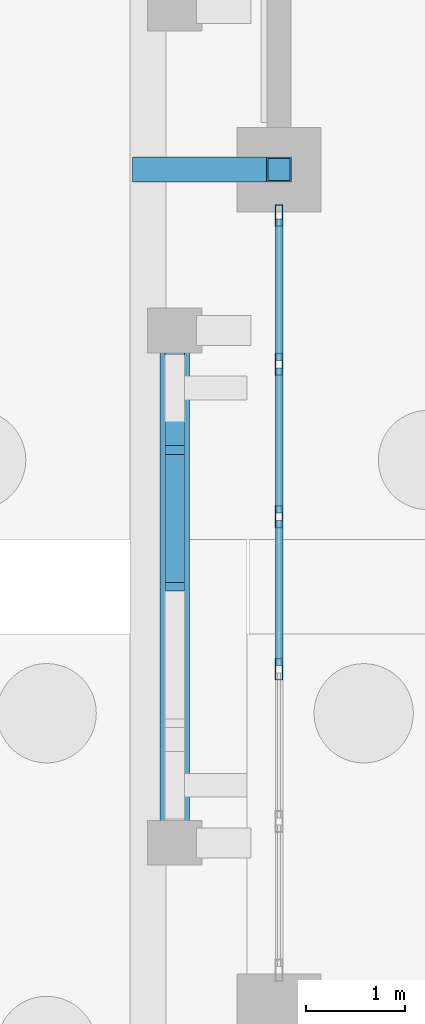
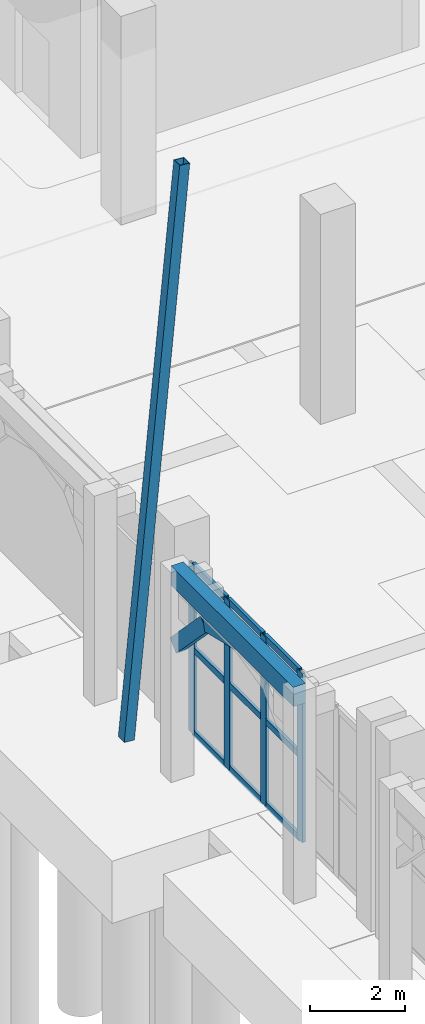
# One storey, part 20 of 98: 16 members, 1 beam, 1 element without a shape of its own.
"""IFC4 building model written with IfcOpenShell, lengths in metres."""

import ifcopenshell
import ifcopenshell.guid

model = None  # the IFC model being written
_history = None  # IfcOwnerHistory: only IFC2X3 demands one
_inside = {}  # id of a spatial element -> (the spatial element, [elements in it])
_under = {}  # id of a project, library or spatial element -> (it, [spatial elements below it])
_declared = {}  # id of a project -> (the project, [libraries it declares])
_typed = {}  # id of a type object -> (the type object, [elements of that type])
_made_of = {}  # id of a material, layer set ... -> (it, [elements and type objects made of it])


def new_model(schema):
    """Start an empty IFC model of exactly this schema.

    Asked for "IFC4X3", IfcOpenShell would pick the latest addendum, in which some entities
    have other attributes; the version numbers below select the first issue.
    IFC2X3 requires an IfcOwnerHistory on every rooted entity: one is made here for all.
    """
    global model, _history
    if schema == "IFC4X3":
        model = ifcopenshell.file(schema_version=(4, 3, 0, 0))
    else:
        model = ifcopenshell.file(schema=schema)
    _inside.clear()
    _under.clear()
    _declared.clear()
    _typed.clear()
    _made_of.clear()
    _history = None
    if model.schema == "IFC2X3":
        org = make("IfcOrganization", Name="unknown")
        user = make(
            "IfcPersonAndOrganization",
            ThePerson=make("IfcPerson", FamilyName="unknown"),
            TheOrganization=org,
        )
        app = make(
            "IfcApplication",
            ApplicationDeveloper=org,
            Version="unknown",
            ApplicationFullName="unknown",
            ApplicationIdentifier="unknown",
        )
        _history = make(
            "IfcOwnerHistory",
            OwningUser=user,
            OwningApplication=app,
            ChangeAction="ADDED",
            CreationDate=0,
        )
    return model


def make(cls, **values):
    """One entity of the class cls with the attributes given. An attribute that is None is left unset."""
    return model.create_entity(
        cls, **{name: value for name, value in values.items() if value is not None}
    )


def rooted(cls, **values):
    """An entity with a GlobalId (a new one), such as an element, a storey or a relation."""
    return make(cls, GlobalId=ifcopenshell.guid.new(), OwnerHistory=_history, **values)


def si_unit(unit_type, name, prefix=None):
    """IfcSIUnit, for example si_unit("LENGTHUNIT", "METRE", prefix="MILLI")."""
    return make("IfcSIUnit", UnitType=unit_type, Prefix=prefix, Name=name)


def assignment(units):
    """IfcUnitAssignment: the units of a project."""
    return None if units is None else make("IfcUnitAssignment", Units=units)


def point(xyz):
    """IfcCartesianPoint."""
    return None if xyz is None else make("IfcCartesianPoint", Coordinates=xyz)


def direction(xyz):
    """IfcDirection."""
    return None if xyz is None else make("IfcDirection", DirectionRatios=xyz)


def frame(location, z_axis=None, x_axis=None):
    """IfcAxis2Placement3D, a coordinate frame: its origin and axes. An axis left out is left unset."""
    return make(
        "IfcAxis2Placement3D",
        Location=point(location),
        Axis=direction(z_axis),
        RefDirection=direction(x_axis),
    )


def frame_2d(location, x_axis=None):
    """IfcAxis2Placement2D, a coordinate frame in the plane: its origin and x axis."""
    return make(
        "IfcAxis2Placement2D", Location=point(location), RefDirection=direction(x_axis)
    )


def origin():
    """The frame at (0, 0, 0) with its axes left unset."""
    return frame((0.0, 0.0, 0.0))


def origin_2d():
    """The frame at (0, 0) in the plane with its x axis left unset."""
    return frame_2d((0.0, 0.0))


def place(relative_to, where):
    """IfcLocalPlacement: puts the frame where relative to a parent placement (None: the world)."""
    return make(
        "IfcLocalPlacement", PlacementRelTo=relative_to, RelativePlacement=where
    )


def context(
    kind, dimensions, precision=None, world=None, true_north=None, identifier=None
):
    """IfcGeometricRepresentationContext, for example the 3D "Model" context."""
    return make(
        "IfcGeometricRepresentationContext",
        ContextIdentifier=identifier,
        ContextType=kind,
        CoordinateSpaceDimension=dimensions,
        Precision=precision,
        WorldCoordinateSystem=world,
        TrueNorth=true_north,
    )


def subcontext(parent, identifier, kind, view, scale=None):
    """IfcGeometricRepresentationSubContext, for example "Body" below "Model"."""
    return make(
        "IfcGeometricRepresentationSubContext",
        ContextIdentifier=identifier,
        ContextType=kind,
        ParentContext=parent,
        TargetScale=scale,
        TargetView=view,
    )


def project(units=None, contexts=None):
    """IfcProject with its units and contexts."""
    return rooted(
        "IfcProject",
        Name="project",
        RepresentationContexts=contexts,
        UnitsInContext=assignment(units),
    )


def spatial(cls, under=None, at=None, **own):
    """A site, building, storey or space (cls), placed at a placement, below another one or the project."""
    s = rooted(cls, ObjectPlacement=at, **own)
    if under is not None:
        _under.setdefault(under.id(), (under, []))[1].append(s)
    return s


def profile(cls, at=None, kind="AREA", **sizes):
    """A parametric profile (cls). Its sizes go by their IFC names, for example OverallWidth=200.0."""
    return make(cls, ProfileType=kind, Position=at, **sizes)


def rectangle(**sizes):
    """IfcRectangleProfileDef."""
    return profile("IfcRectangleProfileDef", **sizes)


def hollow_rectangle(**sizes):
    """IfcRectangleHollowProfileDef."""
    return profile("IfcRectangleHollowProfileDef", **sizes)


def extrude(swept, where, along, depth):
    """IfcExtrudedAreaSolid: the profile swept, set in the frame where, extruded along a direction by depth."""
    return make(
        "IfcExtrudedAreaSolid",
        SweptArea=swept,
        Position=where,
        ExtrudedDirection=direction(along),
        Depth=depth,
    )


def shape(context_of_items, identifier, shape_type, items):
    """IfcShapeRepresentation: the items that make up one representation, for example the "Body"."""
    return make(
        "IfcShapeRepresentation",
        ContextOfItems=context_of_items,
        RepresentationIdentifier=identifier,
        RepresentationType=shape_type,
        Items=items,
    )


def material(Name=None, Category=None):
    """IfcMaterial."""
    return make("IfcMaterial", Name=Name, Category=Category)


def layer(
    of_material, thickness, ventilated=None, Name=None, Category=None, Priority=None
):
    """IfcMaterialLayer: one layer of a wall or slab, of a material (None: an air gap)."""
    return make(
        "IfcMaterialLayer",
        Material=of_material,
        LayerThickness=thickness,
        IsVentilated=ventilated,
        Name=Name,
        Category=Category,
        Priority=Priority,
    )


def layer_set(layers, Name=None):
    """IfcMaterialLayerSet."""
    return make("IfcMaterialLayerSet", MaterialLayers=layers, LayerSetName=Name)


def material_profile(
    of_material, cross_section, Name=None, Category=None, Priority=None
):
    """IfcMaterialProfile: a cross section and its material."""
    return make(
        "IfcMaterialProfile",
        Name=Name,
        Material=of_material,
        Profile=cross_section,
        Priority=Priority,
        Category=Category,
    )


def profile_set(profiles, Name=None, composite=None):
    """IfcMaterialProfileSet."""
    return make(
        "IfcMaterialProfileSet",
        Name=Name,
        MaterialProfiles=profiles,
        CompositeProfile=composite,
    )


def made_of(thing, what):
    """Note that an element or type object is made of a material, layer set ...; save() writes the relation."""
    if what is not None:
        _made_of.setdefault(what.id(), (what, []))[1].append(thing)
    return thing


def type_object(cls, material=None, **own):
    """A type object (cls), such as IfcWallType, which elements share."""
    return made_of(rooted(cls, **own), material)


def element(
    cls,
    number,
    at=None,
    inside=None,
    cuts=None,
    type_object=None,
    material=None,
    context=None,
    identifier="Body",
    shape_type=None,
    held_by="IfcProductDefinitionShape",
    body=None,
    shapes=None,
    **own,
):
    """One element of the class cls, such as IfcWall. Its Tag is "e" and its number.

    at: its placement. inside: the storey or other place that contains it. cuts: it is an
    opening in that element (IfcRelVoidsElement). A single representation is given by context,
    identifier, shape_type and body (its items); several are given by shapes. held_by: the class
    of the entity that holds the representations. save() writes the other relations.
    """
    e = rooted(cls, Tag="e%d" % number, ObjectPlacement=at, **own)
    if body is not None:
        shapes = [shape(context, identifier, shape_type, body)]
    if shapes is not None:
        e.Representation = make(held_by, Representations=shapes)
    if inside is not None:
        _inside.setdefault(inside.id(), (inside, []))[1].append(e)
    if cuts is not None:
        rooted(
            "IfcRelVoidsElement", RelatingBuildingElement=cuts, RelatedOpeningElement=e
        )
    if type_object is not None:
        _typed.setdefault(type_object.id(), (type_object, []))[1].append(e)
    return made_of(e, material)


def aggregate(whole, parts):
    """IfcRelAggregates: a whole, such as a stair, and the parts it consists of."""
    return rooted("IfcRelAggregates", RelatingObject=whole, RelatedObjects=parts)


def save(model, path):
    """Write the relations noted so far, then the file.

    IfcRelAggregates (storeys below a building ...), IfcRelContainedInSpatialStructure (elements
    in a storey), IfcRelDefinesByType, IfcRelAssociatesMaterial and IfcRelDeclares: one each for
    every whole, place, type object, material and project.
    """
    for whole, parts in _under.values():
        aggregate(whole, parts)
    for where, things in _inside.values():
        rooted(
            "IfcRelContainedInSpatialStructure",
            RelatedElements=things,
            RelatingStructure=where,
        )
    for kind, things in _typed.values():
        rooted("IfcRelDefinesByType", RelatedObjects=things, RelatingType=kind)
    for what, things in _made_of.values():
        rooted("IfcRelAssociatesMaterial", RelatedObjects=things, RelatingMaterial=what)
    for by, libraries in _declared.values():
        rooted("IfcRelDeclares", RelatingContext=by, RelatedDefinitions=libraries)
    model.write(path)


model = new_model("IFC4")

# Units and contexts
model_context = context("Model", 3, precision=1e-05, world=origin(), true_north=direction((0.0, 1.0)))
body_context = subcontext(model_context, "Body", "Model", "MODEL_VIEW")
ifc_project = project(units=[si_unit("LENGTHUNIT", "METRE"), si_unit("AREAUNIT", "SQUARE_METRE"), si_unit("VOLUMEUNIT", "CUBIC_METRE"), si_unit("PLANEANGLEUNIT", "RADIAN"), si_unit("MASSUNIT", "GRAM", prefix="KILO")], contexts=[model_context])

# Site, building, storey
site_placement = place(None, origin())
site = spatial("IfcSite", under=ifc_project, at=site_placement, CompositionType="ELEMENT")
building_placement = place(site_placement, origin())
building = spatial("IfcBuilding", under=site, at=building_placement, Name="Xazarin Passage Department Store", CompositionType="ELEMENT")
storey_placement = place(building_placement, origin())
storey = spatial("IfcBuildingStorey", under=building, at=storey_placement, Name="L00", CompositionType="ELEMENT", Elevation=0.0)

# Curtain wall, members
ifc_material_1 = material(Name="Bronze anodised aluminium", Category="aluminium")
ifc_layer = layer(ifc_material_1, 0.179931640625)
ifc_layer_set = layer_set([ifc_layer], Name="Bronze anodised aluminium")
curtain_wall_type = type_object("IfcCurtainWallType", Name="ARC-CW-VIT1", PredefinedType="NOTDEFINED", material=ifc_layer_set)
curtain_wall_placement = place(storey_placement, origin())
curtain_wall = element("IfcCurtainWall", 1, at=curtain_wall_placement, inside=storey, type_object=curtain_wall_type, Name="L00 V1 Curtain Wall 004", PredefinedType="NOTDEFINED")
ifc_material_profile_1 = material_profile(ifc_material_1, hollow_rectangle(XDim=0.074951171875, YDim=0.219970703125, WallThickness=0.0048828125, at=origin_2d()), Name="ALU 75x220")
ifc_profile_set_1 = profile_set([ifc_material_profile_1], Name="Bronze anodised aluminium")
member_type_1 = type_object("IfcMemberType", Name="ARC-CWM-75x220", PredefinedType="MULLION", material=ifc_profile_set_1)
member_1_placement = place(storey_placement, frame((0.0, 54.570068359375, 0.0), z_axis=(0.0, 0.0, 1.0), x_axis=(-1.0, 0.0, 0.0)))
member_1 = element("IfcMember", 2, at=member_1_placement, type_object=member_type_1, Name="CW1 mullion 3", PredefinedType="MULLION", context=body_context, shape_type="SweptSolid", body=[
    extrude(hollow_rectangle(XDim=0.074951171875, YDim=0.219970703125, WallThickness=0.0048828125, at=origin_2d()), origin(), (0.0, 0.0, 1.0), 4.35009765625),
])
member_2_placement = place(storey_placement, frame((0.0, 56.10498046875, 0.0), z_axis=(0.0, 0.0, 1.0), x_axis=(-1.0, 0.0, 0.0)))
member_2 = element("IfcMember", 3, at=member_2_placement, type_object=member_type_1, Name="CW1 mullion 4", PredefinedType="MULLION", context=body_context, shape_type="SweptSolid", body=[
    extrude(hollow_rectangle(XDim=0.074951171875, YDim=0.219970703125, WallThickness=0.0048828125, at=origin_2d()), origin(), (0.0, 0.0, 1.0), 4.35009765625),
])
member_3_placement = place(storey_placement, frame((0.0, 57.639892578125, 0.0), z_axis=(0.0, 0.0, 1.0), x_axis=(-1.0, 0.0, 0.0)))
member_3 = element("IfcMember", 4, at=member_3_placement, type_object=member_type_1, Name="CW1 mullion 5", PredefinedType="MULLION", context=body_context, shape_type="SweptSolid", body=[
    extrude(hollow_rectangle(XDim=0.074951171875, YDim=0.219970703125, WallThickness=0.0048828125, at=origin_2d()), origin(), (0.0, 0.0, 1.0), 4.35009765625),
])
member_4_placement = place(storey_placement, frame((0.0, 59.137451171875, 0.0), z_axis=(0.0, 0.0, 1.0), x_axis=(-1.0, 0.0, 0.0)))
member_4 = element("IfcMember", 5, at=member_4_placement, type_object=member_type_1, Name="CW1 mullion 6", PredefinedType="MULLION", context=body_context, shape_type="SweptSolid", body=[
    extrude(hollow_rectangle(XDim=0.074951171875, YDim=0.219970703125, WallThickness=0.0048828125, at=origin_2d()), origin(), (0.0, 0.0, 1.0), 4.35009765625),
])
ifc_material_profile_2 = material_profile(ifc_material_1, hollow_rectangle(XDim=0.074951171875, YDim=0.159912109375, WallThickness=0.00439453125, at=origin_2d()), Name="ALU 75x160")
ifc_profile_set_2 = profile_set([ifc_material_profile_2], Name="Bronze anodised aluminium")
member_type_2 = type_object("IfcMemberType", Name="ARC-CWT-75x160", PredefinedType="USERDEFINED", material=ifc_profile_set_2)
member_5_placement = place(storey_placement, frame((0.0, 54.607421875, 0.03759765625), z_axis=(0.0, 1.0, 0.0), x_axis=(-1.0, 0.0, 0.0)))
member_5 = element("IfcMember", 6, at=member_5_placement, type_object=member_type_2, Name="CW1 transom 3.1", ObjectType="TRANSOM", PredefinedType="USERDEFINED", context=body_context, shape_type="SweptSolid", body=[
    extrude(hollow_rectangle(XDim=0.074951171875, YDim=0.159912109375, WallThickness=0.00439453125, at=origin_2d()), origin(), (0.0, 0.0, 1.0), 1.4599609375),
])
member_6_placement = place(storey_placement, frame((0.0, 54.607421875, 2.175048828125), z_axis=(0.0, 1.0, 0.0), x_axis=(-1.0, 0.0, 0.0)))
member_6 = element("IfcMember", 7, at=member_6_placement, type_object=member_type_2, Name="CW1 transom 3.2", ObjectType="TRANSOM", PredefinedType="USERDEFINED", context=body_context, shape_type="SweptSolid", body=[
    extrude(hollow_rectangle(XDim=0.074951171875, YDim=0.159912109375, WallThickness=0.00439453125, at=origin_2d()), origin(), (0.0, 0.0, 1.0), 1.4599609375),
])
member_7_placement = place(storey_placement, frame((0.0, 54.607421875, 4.3125), z_axis=(0.0, 1.0, 0.0), x_axis=(-1.0, 0.0, 0.0)))
member_7 = element("IfcMember", 8, at=member_7_placement, type_object=member_type_2, Name="CW1 transom 3.3", ObjectType="TRANSOM", PredefinedType="USERDEFINED", context=body_context, shape_type="SweptSolid", body=[
    extrude(hollow_rectangle(XDim=0.074951171875, YDim=0.159912109375, WallThickness=0.00439453125, at=origin_2d()), origin(), (0.0, 0.0, 1.0), 1.4599609375),
])
member_8_placement = place(storey_placement, frame((0.0, 56.142578125, 0.03759765625), z_axis=(0.0, 1.0, 0.0), x_axis=(-1.0, 0.0, 0.0)))
member_8 = element("IfcMember", 9, at=member_8_placement, type_object=member_type_2, Name="CW1 transom 4.1", ObjectType="TRANSOM", PredefinedType="USERDEFINED", context=body_context, shape_type="SweptSolid", body=[
    extrude(hollow_rectangle(XDim=0.074951171875, YDim=0.159912109375, WallThickness=0.00439453125, at=origin_2d()), origin(), (0.0, 0.0, 1.0), 1.4599609375),
])
member_9_placement = place(storey_placement, frame((0.0, 56.142578125, 2.175048828125), z_axis=(0.0, 1.0, 0.0), x_axis=(-1.0, 0.0, 0.0)))
member_9 = element("IfcMember", 10, at=member_9_placement, type_object=member_type_2, Name="CW1 transom 4.2", ObjectType="TRANSOM", PredefinedType="USERDEFINED", context=body_context, shape_type="SweptSolid", body=[
    extrude(hollow_rectangle(XDim=0.074951171875, YDim=0.159912109375, WallThickness=0.00439453125, at=origin_2d()), origin(), (0.0, 0.0, 1.0), 1.4599609375),
])
member_10_placement = place(storey_placement, frame((0.0, 56.142578125, 4.3125), z_axis=(0.0, 1.0, 0.0), x_axis=(-1.0, 0.0, 0.0)))
member_10 = element("IfcMember", 11, at=member_10_placement, type_object=member_type_2, Name="CW1 transom 4.3", ObjectType="TRANSOM", PredefinedType="USERDEFINED", context=body_context, shape_type="SweptSolid", body=[
    extrude(hollow_rectangle(XDim=0.074951171875, YDim=0.159912109375, WallThickness=0.00439453125, at=origin_2d()), origin(), (0.0, 0.0, 1.0), 1.4599609375),
])
member_11_placement = place(storey_placement, frame((0.0, 57.677490234375, 0.03759765625), z_axis=(0.0, 1.0, 0.0), x_axis=(-1.0, 0.0, 0.0)))
member_11 = element("IfcMember", 12, at=member_11_placement, type_object=member_type_2, Name="CW1 transom 5.1", ObjectType="TRANSOM", PredefinedType="USERDEFINED", context=body_context, shape_type="SweptSolid", body=[
    extrude(hollow_rectangle(XDim=0.074951171875, YDim=0.159912109375, WallThickness=0.00439453125, at=origin_2d()), origin(), (0.0, 0.0, 1.0), 1.422607421875),
])
member_12_placement = place(storey_placement, frame((0.0, 57.677490234375, 2.175048828125), z_axis=(0.0, 1.0, 0.0), x_axis=(-1.0, 0.0, 0.0)))
member_12 = element("IfcMember", 13, at=member_12_placement, type_object=member_type_2, Name="CW1 transom 5.2", ObjectType="TRANSOM", PredefinedType="USERDEFINED", context=body_context, shape_type="SweptSolid", body=[
    extrude(hollow_rectangle(XDim=0.074951171875, YDim=0.159912109375, WallThickness=0.00439453125, at=origin_2d()), origin(), (0.0, 0.0, 1.0), 1.422607421875),
])
member_13_placement = place(storey_placement, frame((0.0, 57.677490234375, 4.3125), z_axis=(0.0, 1.0, 0.0), x_axis=(-1.0, 0.0, 0.0)))
member_13 = element("IfcMember", 14, at=member_13_placement, type_object=member_type_2, Name="CW1 transom 5.3", ObjectType="TRANSOM", PredefinedType="USERDEFINED", context=body_context, shape_type="SweptSolid", body=[
    extrude(hollow_rectangle(XDim=0.074951171875, YDim=0.159912109375, WallThickness=0.00439453125, at=origin_2d()), origin(), (0.0, 0.0, 1.0), 1.422607421875),
])
aggregate(curtain_wall, [member_1, member_2, member_3, member_4, member_5, member_6, member_7, member_8, member_9, member_10, member_11, member_12, member_13])

# Beam
ifc_material_2 = material(Name="Concrete C35/45", Category="concrete")
ifc_material_profile_3 = material_profile(ifc_material_2, rectangle(XDim=0.300048828125, YDim=0.5, at=origin_2d()), Name="RC 300x500")
ifc_profile_set_3 = profile_set([ifc_material_profile_3], Name="Concrete C35/45")
beam_type = type_object("IfcBeamType", Name="STR-BM-LN300x500", PredefinedType="LINTEL", material=ifc_profile_set_3)
beam_placement = place(storey_placement, frame((-1.050048828125, 52.820068359375, 5.14990234375), z_axis=(0.0, 1.0, 0.0), x_axis=(-1.0, 0.0, 0.0)))
element("IfcBeam", 15, at=beam_placement, inside=storey, type_object=beam_type, Name="L00 V1 Colonnade Spandrel Beam 008", PredefinedType="LINTEL", context=body_context, shape_type="SweptSolid", body=[
    extrude(rectangle(XDim=0.300048828125, YDim=0.5, at=origin_2d()), origin(), (0.0, 0.0, 1.0), 5.159912109375),
])

# Members
ifc_material_3 = material(Name="Concrete C40/50", Category="concrete")
ifc_material_profile_4 = material_profile(ifc_material_3, rectangle(XDim=0.199951171875, YDim=0.360107421875, at=origin_2d()), Name="RC 200x360")
ifc_profile_set_4 = profile_set([ifc_material_profile_4], Name="Concrete C40/50")
member_type_3 = type_object("IfcMemberType", Name="STR-MEM-ARC360", PredefinedType="CHORD", material=ifc_profile_set_4)
member_14_placement = place(storey_placement, frame((-1.050048828125, 55.39990234375, 4.97998046875), z_axis=(0.0, 0.972393983317, -0.233345111818), x_axis=(-1.0, 0.0, 0.0)))
element("IfcMember", 16, at=member_14_placement, inside=storey, type_object=member_type_3, Name="L00 V1 Pierced Lattice Curved Arch 008.3", PredefinedType="CHORD", context=body_context, shape_type="SweptSolid", body=[
    extrude(rectangle(XDim=0.199951171875, YDim=0.360107421875, at=origin_2d()), origin(), (0.0, 0.0, 1.0), 1.32666015625),
])
member_15_placement = place(storey_placement, frame((-1.050048828125, 56.68994140625, 4.67041015625), z_axis=(0.0, 0.693460080602, -0.720495049679), x_axis=(-1.0, 0.0, 0.0)))
element("IfcMember", 17, at=member_15_placement, inside=storey, type_object=member_type_3, Name="L00 V1 Pierced Lattice Curved Arch 008.4", PredefinedType="CHORD", context=body_context, shape_type="SweptSolid", body=[
    extrude(rectangle(XDim=0.199951171875, YDim=0.360107421875, at=origin_2d()), origin(), (0.0, 0.0, 1.0), 1.8603515625),
])
ifc_material_4 = material(Name="Steel S355", Category="steel")
ifc_material_profile_5 = material_profile(ifc_material_4, hollow_rectangle(XDim=0.25, YDim=0.25, WallThickness=0.012451171875, at=origin_2d()), Name="SHS 250x250x12.5")
ifc_profile_set_5 = profile_set([ifc_material_profile_5], Name="Steel S355")
member_type_4 = type_object("IfcMemberType", Name="STR-MEM-SHS250", PredefinedType="BRACE", material=ifc_profile_set_5)
member_16_placement = place(storey_placement, frame((-1.35009765625, 59.60009765625, 0.030029296875), z_axis=(0.093541397453, 0.0, 0.995615391084), x_axis=(0.0, 1.0, 0.0)))
element("IfcMember", 18, at=member_16_placement, inside=storey, type_object=member_type_4, Name="Sculpted Raked Concrete Buttress BUT-V1-W1", PredefinedType="BRACE", context=body_context, shape_type="SweptSolid", body=[
    extrude(hollow_rectangle(XDim=0.25, YDim=0.25, WallThickness=0.012451171875, at=origin_2d()), origin(), (0.0, 0.0, 1.0), 14.43310546875),
])

save(model, "model.ifc")
